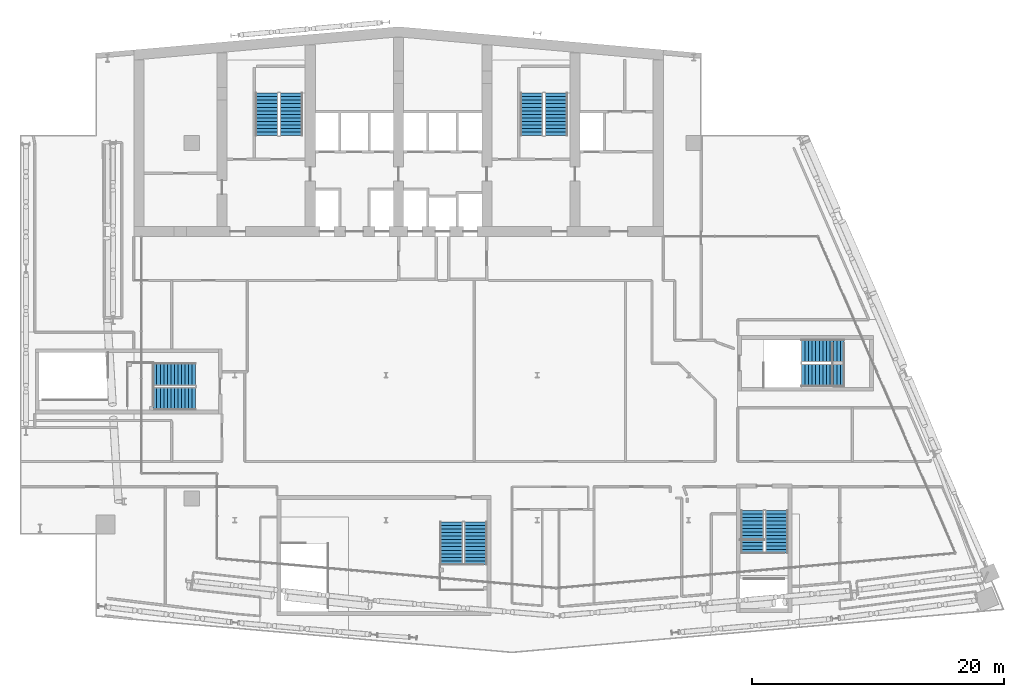
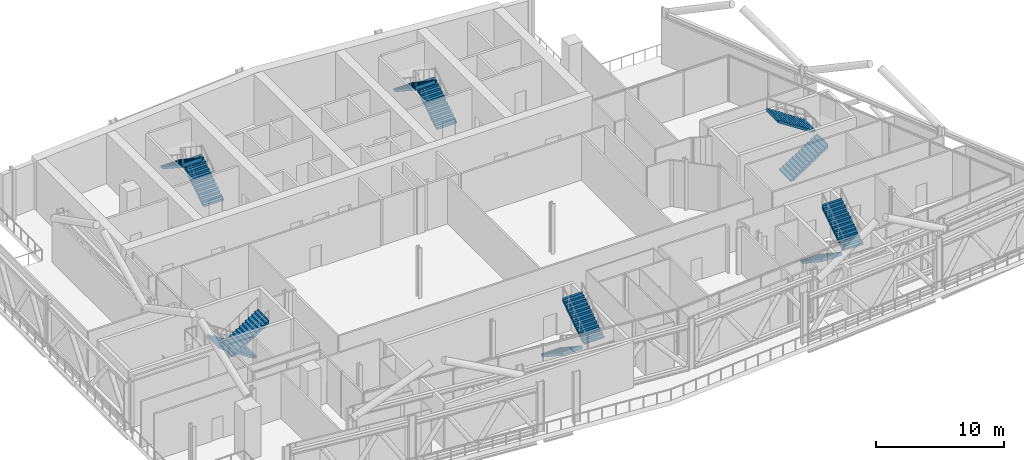
# One storey, part 19 of 35: 12 stair flights, 6 elements without a shape of their own.
"""IFC4 building model written with IfcOpenShell, lengths in metres."""

from ifc_helpers import new_model, si_unit, direction, frame, origin, place, context, subcontext, project, spatial, polyline, outline, extrude, material, type_object, element, aggregate, save


model = new_model("IFC4")

# Units and contexts
model_context = context("Model", 3, precision=1e-05, world=origin(), true_north=direction((0.0, 1.0)))
body_context = subcontext(model_context, "Body", "Model", "MODEL_VIEW")
ifc_project = project(units=[si_unit("LENGTHUNIT", "METRE"), si_unit("AREAUNIT", "SQUARE_METRE"), si_unit("VOLUMEUNIT", "CUBIC_METRE"), si_unit("PLANEANGLEUNIT", "RADIAN"), si_unit("MASSUNIT", "GRAM", prefix="KILO")], contexts=[model_context])

# Site, building, storey
site_placement = place(None, origin())
site = spatial("IfcSite", under=ifc_project, at=site_placement, CompositionType="ELEMENT")
building_placement = place(site_placement, origin())
building = spatial("IfcBuilding", under=site, at=building_placement, Name="Wharfspan Tower", CompositionType="ELEMENT")
storey_placement = place(building_placement, frame((0.0, 0.0, 202.300049)))
storey = spatial("IfcBuildingStorey", under=building, at=storey_placement, Name="L50", CompositionType="ELEMENT", Elevation=202.300049)

# Stair, stair flights
ifc_material = material(Name="Concrete C40/50", Category="concrete")
stair_type = type_object("IfcStairType", Name="Half-turn stair 26 risers 185 mm", PredefinedType="HALF_TURN_STAIR", material=ifc_material)
stair_1_placement = place(storey_placement, origin())
stair_1 = element("IfcStair", 1, at=stair_1_placement, inside=storey, type_object=stair_type, Name="L50 stair ST1", PredefinedType="HALF_TURN_STAIR")
stair_flight_type = type_object("IfcStairFlightType", Name="Stair flight 26 risers 185 mm", PredefinedType="STRAIGHT", material=ifc_material)
stair_flight_1_placement = place(storey_placement, frame((28.5, 42.0, 0.0), z_axis=(0.0, 0.0, 1.0), x_axis=(0.0, 1.0, 0.0)))
stair_flight_1 = element("IfcStairFlight", 2, at=stair_flight_1_placement, type_object=stair_flight_type, Name="ST1 flight 1", NumberOfRisers=13, NumberOfTreads=12, PredefinedType="STRAIGHT", RiserHeight=0.184615, TreadLength=0.28, context=body_context, shape_type="SweptSolid", body=[
    extrude(outline(polyline([(-0.011963, 0.0), (-0.011963, 0.18457), (0.0, 0.18457), (0.280029, 0.18457), (0.280029, 0.369141), (0.560059, 0.369141), (0.560059, 0.553955), (0.840088, 0.553955), (0.840088, 0.738525), (1.120117, 0.738525), (1.120117, 0.923096), (1.399902, 0.923096), (1.399902, 1.107666), (1.679932, 1.107666), (1.679932, 1.292236), (1.959961, 1.292236), (1.959961, 1.476807), (2.23999, 1.476807), (2.23999, 1.661621), (2.52002, 1.661621), (2.52002, 1.846191), (2.800049, 1.846191), (2.800049, 2.030762), (3.080078, 2.030762), (3.080078, 2.215332), (3.360107, 2.215332), (3.37207, 2.399902), (3.37207, 2.035889), (0.272217, 0.0), (-0.011963, 0.0)])), frame((0.0, 0.899902, 0.0), z_axis=(0.0, -1.0, 0.0), x_axis=(1.0, 0.0, 0.0)), (0.0, 0.0, 1.0), 1.800049),
])
stair_flight_2_placement = place(storey_placement, frame((26.550049, 45.360107, 2.399902), z_axis=(0.0, 0.0, 1.0), x_axis=(0.0, -1.0, 0.0)))
stair_flight_2 = element("IfcStairFlight", 3, at=stair_flight_2_placement, type_object=stair_flight_type, Name="ST1 flight 2", NumberOfRisers=13, NumberOfTreads=12, PredefinedType="STRAIGHT", RiserHeight=0.184615, TreadLength=0.28, context=body_context, shape_type="SweptSolid", body=[
    extrude(outline(polyline([(-0.011963, 0.0), (-0.011963, 0.18457), (0.0, 0.18457), (0.280029, 0.18457), (0.280029, 0.369141), (0.560059, 0.369141), (0.560059, 0.553955), (0.840088, 0.553955), (0.840088, 0.738525), (1.120117, 0.738525), (1.120117, 0.923096), (1.399902, 0.923096), (1.399902, 1.107666), (1.679932, 1.107666), (1.679932, 1.292236), (1.959961, 1.292236), (1.959961, 1.476807), (2.23999, 1.476807), (2.23999, 1.661621), (2.52002, 1.661621), (2.52002, 1.846191), (2.800049, 1.846191), (2.800049, 2.030762), (3.080078, 2.030762), (3.080078, 2.215332), (3.360107, 2.215332), (3.37207, 2.399902), (3.37207, 2.035889), (0.272217, 0.0), (-0.011963, 0.0)])), frame((0.0, 0.899902, 0.0), z_axis=(0.0, -1.0, 0.0), x_axis=(1.0, 0.0, 0.0)), (0.0, 0.0, 1.0), 1.800049),
])
aggregate(stair_1, [stair_flight_1, stair_flight_2])

stair_2_placement = place(storey_placement, origin())
stair_2 = element("IfcStair", 4, at=stair_2_placement, inside=storey, type_object=stair_type, Name="L50 stair ST2", PredefinedType="HALF_TURN_STAIR")
stair_flight_3_placement = place(storey_placement, frame((49.5, 42.0, 0.0), z_axis=(0.0, 0.0, 1.0), x_axis=(0.0, 1.0, 0.0)))
stair_flight_3 = element("IfcStairFlight", 5, at=stair_flight_3_placement, type_object=stair_flight_type, Name="ST2 flight 1", NumberOfRisers=13, NumberOfTreads=12, PredefinedType="STRAIGHT", RiserHeight=0.184615, TreadLength=0.28, context=body_context, shape_type="SweptSolid", body=[
    extrude(outline(polyline([(-0.011963, 0.0), (-0.011963, 0.18457), (0.0, 0.18457), (0.280029, 0.18457), (0.280029, 0.369141), (0.560059, 0.369141), (0.560059, 0.553955), (0.840088, 0.553955), (0.840088, 0.738525), (1.120117, 0.738525), (1.120117, 0.923096), (1.399902, 0.923096), (1.399902, 1.107666), (1.679932, 1.107666), (1.679932, 1.292236), (1.959961, 1.292236), (1.959961, 1.476807), (2.23999, 1.476807), (2.23999, 1.661621), (2.52002, 1.661621), (2.52002, 1.846191), (2.800049, 1.846191), (2.800049, 2.030762), (3.080078, 2.030762), (3.080078, 2.215332), (3.360107, 2.215332), (3.37207, 2.399902), (3.37207, 2.035889), (0.272217, 0.0), (-0.011963, 0.0)])), frame((0.0, 0.899902, 0.0), z_axis=(0.0, -1.0, 0.0), x_axis=(1.0, 0.0, 0.0)), (0.0, 0.0, 1.0), 1.800049),
])
stair_flight_4_placement = place(storey_placement, frame((47.550049, 45.360107, 2.399902), z_axis=(0.0, 0.0, 1.0), x_axis=(0.0, -1.0, 0.0)))
stair_flight_4 = element("IfcStairFlight", 6, at=stair_flight_4_placement, type_object=stair_flight_type, Name="ST2 flight 2", NumberOfRisers=13, NumberOfTreads=12, PredefinedType="STRAIGHT", RiserHeight=0.184615, TreadLength=0.28, context=body_context, shape_type="SweptSolid", body=[
    extrude(outline(polyline([(-0.011963, 0.0), (-0.011963, 0.18457), (0.0, 0.18457), (0.280029, 0.18457), (0.280029, 0.369141), (0.560059, 0.369141), (0.560059, 0.553955), (0.840088, 0.553955), (0.840088, 0.738525), (1.120117, 0.738525), (1.120117, 0.923096), (1.399902, 0.923096), (1.399902, 1.107666), (1.679932, 1.107666), (1.679932, 1.292236), (1.959961, 1.292236), (1.959961, 1.476807), (2.23999, 1.476807), (2.23999, 1.661621), (2.52002, 1.661621), (2.52002, 1.846191), (2.800049, 1.846191), (2.800049, 2.030762), (3.080078, 2.030762), (3.080078, 2.215332), (3.360107, 2.215332), (3.37207, 2.399902), (3.37207, 2.035889), (0.272217, 0.0), (-0.011963, 0.0)])), frame((0.0, 0.899902, 0.0), z_axis=(0.0, -1.0, 0.0), x_axis=(1.0, 0.0, 0.0)), (0.0, 0.0, 1.0), 1.800049),
])
aggregate(stair_2, [stair_flight_3, stair_flight_4])

stair_3_placement = place(storey_placement, origin())
stair_3 = element("IfcStair", 7, at=stair_3_placement, inside=storey, type_object=stair_type, Name="L50 stair ST3", PredefinedType="HALF_TURN_STAIR")
stair_flight_5_placement = place(storey_placement, frame((20.899902, 23.074951, 0.0), z_axis=(0.0, 0.0, 1.0), x_axis=(-1.0, 0.0, 0.0)))
stair_flight_5 = element("IfcStairFlight", 8, at=stair_flight_5_placement, type_object=stair_flight_type, Name="ST3 flight 1", NumberOfRisers=13, NumberOfTreads=12, PredefinedType="STRAIGHT", RiserHeight=0.184615, TreadLength=0.28, context=body_context, shape_type="SweptSolid", body=[
    extrude(outline(polyline([(-0.011963, 0.0), (-0.011963, 0.18457), (0.0, 0.18457), (0.280029, 0.18457), (0.280029, 0.369141), (0.560059, 0.369141), (0.560059, 0.553955), (0.840088, 0.553955), (0.840088, 0.738525), (1.120117, 0.738525), (1.120117, 0.923096), (1.399902, 0.923096), (1.399902, 1.107666), (1.679932, 1.107666), (1.679932, 1.292236), (1.959961, 1.292236), (1.959961, 1.476807), (2.23999, 1.476807), (2.23999, 1.661621), (2.52002, 1.661621), (2.52002, 1.846191), (2.800049, 1.846191), (2.800049, 2.030762), (3.080078, 2.030762), (3.080078, 2.215332), (3.360107, 2.215332), (3.37207, 2.399902), (3.37207, 2.035889), (0.272217, 0.0), (-0.011963, 0.0)])), frame((0.0, 0.899902, 0.0), z_axis=(0.0, -1.0, 0.0), x_axis=(1.0, 0.0, 0.0)), (0.0, 0.0, 1.0), 1.800049),
])
stair_flight_6_placement = place(storey_placement, frame((17.540039, 21.125, 2.399902), z_axis=(0.0, 0.0, 1.0), x_axis=(1.0, 0.0, 0.0)))
stair_flight_6 = element("IfcStairFlight", 9, at=stair_flight_6_placement, type_object=stair_flight_type, Name="ST3 flight 2", NumberOfRisers=13, NumberOfTreads=12, PredefinedType="STRAIGHT", RiserHeight=0.184615, TreadLength=0.28, context=body_context, shape_type="SweptSolid", body=[
    extrude(outline(polyline([(-0.011963, 0.0), (-0.011963, 0.18457), (0.0, 0.18457), (0.280029, 0.18457), (0.280029, 0.369141), (0.560059, 0.369141), (0.560059, 0.553955), (0.840088, 0.553955), (0.840088, 0.738525), (1.120117, 0.738525), (1.120117, 0.923096), (1.399902, 0.923096), (1.399902, 1.107666), (1.679932, 1.107666), (1.679932, 1.292236), (1.959961, 1.292236), (1.959961, 1.476807), (2.23999, 1.476807), (2.23999, 1.661621), (2.52002, 1.661621), (2.52002, 1.846191), (2.800049, 1.846191), (2.800049, 2.030762), (3.080078, 2.030762), (3.080078, 2.215332), (3.360107, 2.215332), (3.37207, 2.399902), (3.37207, 2.035889), (0.272217, 0.0), (-0.011963, 0.0)])), frame((0.0, 0.899902, 0.0), z_axis=(0.0, -1.0, 0.0), x_axis=(1.0, 0.0, 0.0)), (0.0, 0.0, 1.0), 1.800049),
])
aggregate(stair_3, [stair_flight_5, stair_flight_6])

stair_4_placement = place(storey_placement, origin())
stair_4 = element("IfcStair", 10, at=stair_4_placement, inside=storey, type_object=stair_type, Name="L50 stair ST4", PredefinedType="HALF_TURN_STAIR")
stair_flight_7_placement = place(storey_placement, frame((41.177002, 11.343262, 0.0), z_axis=(0.0, 0.0, 1.0), x_axis=(0.0, -1.0, 0.0)))
stair_flight_7 = element("IfcStairFlight", 11, at=stair_flight_7_placement, type_object=stair_flight_type, Name="ST4 flight 1", NumberOfRisers=13, NumberOfTreads=12, PredefinedType="STRAIGHT", RiserHeight=0.184615, TreadLength=0.28, context=body_context, shape_type="SweptSolid", body=[
    extrude(outline(polyline([(-0.011963, 0.0), (-0.011963, 0.18457), (0.0, 0.18457), (0.280029, 0.18457), (0.280029, 0.369141), (0.560059, 0.369141), (0.560059, 0.553955), (0.840088, 0.553955), (0.840088, 0.738525), (1.120117, 0.738525), (1.120117, 0.923096), (1.399902, 0.923096), (1.399902, 1.107666), (1.679932, 1.107666), (1.679932, 1.292236), (1.959961, 1.292236), (1.959961, 1.476807), (2.23999, 1.476807), (2.23999, 1.661621), (2.52002, 1.661621), (2.52002, 1.846191), (2.800049, 1.846191), (2.800049, 2.030762), (3.080078, 2.030762), (3.080078, 2.215332), (3.360107, 2.215332), (3.37207, 2.399902), (3.37207, 2.035889), (0.272217, 0.0), (-0.011963, 0.0)])), frame((0.0, 0.899902, 0.0), z_axis=(0.0, -1.0, 0.0), x_axis=(1.0, 0.0, 0.0)), (0.0, 0.0, 1.0), 1.800049),
])
stair_flight_8_placement = place(storey_placement, frame((43.127197, 7.983154, 2.399902), z_axis=(0.0, 0.0, 1.0), x_axis=(0.0, 1.0, 0.0)))
stair_flight_8 = element("IfcStairFlight", 12, at=stair_flight_8_placement, type_object=stair_flight_type, Name="ST4 flight 2", NumberOfRisers=13, NumberOfTreads=12, PredefinedType="STRAIGHT", RiserHeight=0.184615, TreadLength=0.28, context=body_context, shape_type="SweptSolid", body=[
    extrude(outline(polyline([(-0.011963, 0.0), (-0.011963, 0.18457), (0.0, 0.18457), (0.280029, 0.18457), (0.280029, 0.369141), (0.560059, 0.369141), (0.560059, 0.553955), (0.840088, 0.553955), (0.840088, 0.738525), (1.120117, 0.738525), (1.120117, 0.923096), (1.399902, 0.923096), (1.399902, 1.107666), (1.679932, 1.107666), (1.679932, 1.292236), (1.959961, 1.292236), (1.959961, 1.476807), (2.23999, 1.476807), (2.23999, 1.661621), (2.52002, 1.661621), (2.52002, 1.846191), (2.800049, 1.846191), (2.800049, 2.030762), (3.080078, 2.030762), (3.080078, 2.215332), (3.360107, 2.215332), (3.37207, 2.399902), (3.37207, 2.035889), (0.272217, 0.0), (-0.011963, 0.0)])), frame((0.0, 0.899902, 0.0), z_axis=(0.0, -1.0, 0.0), x_axis=(1.0, 0.0, 0.0)), (0.0, 0.0, 1.0), 1.800049),
])
aggregate(stair_4, [stair_flight_7, stair_flight_8])

stair_5_placement = place(storey_placement, origin())
stair_5 = element("IfcStair", 13, at=stair_5_placement, inside=storey, type_object=stair_type, Name="L50 stair ST5", PredefinedType="HALF_TURN_STAIR")
stair_flight_9_placement = place(storey_placement, frame((65.043701, 12.246094, 0.0), z_axis=(0.0, 0.0, 1.0), x_axis=(0.0, -1.0, 0.0)))
stair_flight_9 = element("IfcStairFlight", 14, at=stair_flight_9_placement, type_object=stair_flight_type, Name="ST5 flight 1", NumberOfRisers=13, NumberOfTreads=12, PredefinedType="STRAIGHT", RiserHeight=0.184615, TreadLength=0.28, context=body_context, shape_type="SweptSolid", body=[
    extrude(outline(polyline([(-0.011963, 0.0), (-0.011963, 0.18457), (0.0, 0.18457), (0.280029, 0.18457), (0.280029, 0.369141), (0.560059, 0.369141), (0.560059, 0.553955), (0.840088, 0.553955), (0.840088, 0.738525), (1.120117, 0.738525), (1.120117, 0.923096), (1.399902, 0.923096), (1.399902, 1.107666), (1.679932, 1.107666), (1.679932, 1.292236), (1.959961, 1.292236), (1.959961, 1.476807), (2.23999, 1.476807), (2.23999, 1.661621), (2.52002, 1.661621), (2.52002, 1.846191), (2.800049, 1.846191), (2.800049, 2.030762), (3.080078, 2.030762), (3.080078, 2.215332), (3.360107, 2.215332), (3.37207, 2.399902), (3.37207, 2.035889), (0.272217, 0.0), (-0.011963, 0.0)])), frame((0.0, 0.899902, 0.0), z_axis=(0.0, -1.0, 0.0), x_axis=(1.0, 0.0, 0.0)), (0.0, 0.0, 1.0), 1.800049),
])
stair_flight_10_placement = place(storey_placement, frame((66.993896, 8.88623, 2.399902), z_axis=(0.0, 0.0, 1.0), x_axis=(0.0, 1.0, 0.0)))
stair_flight_10 = element("IfcStairFlight", 15, at=stair_flight_10_placement, type_object=stair_flight_type, Name="ST5 flight 2", NumberOfRisers=13, NumberOfTreads=12, PredefinedType="STRAIGHT", RiserHeight=0.184615, TreadLength=0.28, context=body_context, shape_type="SweptSolid", body=[
    extrude(outline(polyline([(-0.011963, 0.0), (-0.011963, 0.18457), (0.0, 0.18457), (0.280029, 0.18457), (0.280029, 0.369141), (0.560059, 0.369141), (0.560059, 0.553955), (0.840088, 0.553955), (0.840088, 0.738525), (1.120117, 0.738525), (1.120117, 0.923096), (1.399902, 0.923096), (1.399902, 1.107666), (1.679932, 1.107666), (1.679932, 1.292236), (1.959961, 1.292236), (1.959961, 1.476807), (2.23999, 1.476807), (2.23999, 1.661621), (2.52002, 1.661621), (2.52002, 1.846191), (2.800049, 1.846191), (2.800049, 2.030762), (3.080078, 2.030762), (3.080078, 2.215332), (3.360107, 2.215332), (3.37207, 2.399902), (3.37207, 2.035889), (0.272217, 0.0), (-0.011963, 0.0)])), frame((0.0, 0.899902, 0.0), z_axis=(0.0, -1.0, 0.0), x_axis=(1.0, 0.0, 0.0)), (0.0, 0.0, 1.0), 1.800049),
])
aggregate(stair_5, [stair_flight_9, stair_flight_10])

stair_6_placement = place(storey_placement, origin())
stair_6 = element("IfcStair", 16, at=stair_6_placement, inside=storey, type_object=stair_type, Name="L50 stair ST6", PredefinedType="HALF_TURN_STAIR")
stair_flight_11_placement = place(storey_placement, frame((68.969482, 22.975098, 0.0), z_axis=(0.0, 0.0, 1.0), x_axis=(1.0, 0.0, 0.0)))
stair_flight_11 = element("IfcStairFlight", 17, at=stair_flight_11_placement, type_object=stair_flight_type, Name="ST6 flight 1", NumberOfRisers=13, NumberOfTreads=12, PredefinedType="STRAIGHT", RiserHeight=0.184615, TreadLength=0.28, context=body_context, shape_type="SweptSolid", body=[
    extrude(outline(polyline([(-0.011963, 0.0), (-0.011963, 0.18457), (0.0, 0.18457), (0.280029, 0.18457), (0.280029, 0.369141), (0.560059, 0.369141), (0.560059, 0.553955), (0.840088, 0.553955), (0.840088, 0.738525), (1.120117, 0.738525), (1.120117, 0.923096), (1.399902, 0.923096), (1.399902, 1.107666), (1.679932, 1.107666), (1.679932, 1.292236), (1.959961, 1.292236), (1.959961, 1.476807), (2.23999, 1.476807), (2.23999, 1.661621), (2.52002, 1.661621), (2.52002, 1.846191), (2.800049, 1.846191), (2.800049, 2.030762), (3.080078, 2.030762), (3.080078, 2.215332), (3.360107, 2.215332), (3.37207, 2.399902), (3.37207, 2.035889), (0.272217, 0.0), (-0.011963, 0.0)])), frame((0.0, 0.899902, 0.0), z_axis=(0.0, -1.0, 0.0), x_axis=(1.0, 0.0, 0.0)), (0.0, 0.0, 1.0), 1.800049),
])
stair_flight_12_placement = place(storey_placement, frame((72.32959, 24.925049, 2.399902), z_axis=(0.0, 0.0, 1.0), x_axis=(-1.0, 0.0, 0.0)))
stair_flight_12 = element("IfcStairFlight", 18, at=stair_flight_12_placement, type_object=stair_flight_type, Name="ST6 flight 2", NumberOfRisers=13, NumberOfTreads=12, PredefinedType="STRAIGHT", RiserHeight=0.184615, TreadLength=0.28, context=body_context, shape_type="SweptSolid", body=[
    extrude(outline(polyline([(-0.011963, 0.0), (-0.011963, 0.18457), (0.0, 0.18457), (0.280029, 0.18457), (0.280029, 0.369141), (0.560059, 0.369141), (0.560059, 0.553955), (0.840088, 0.553955), (0.840088, 0.738525), (1.120117, 0.738525), (1.120117, 0.923096), (1.399902, 0.923096), (1.399902, 1.107666), (1.679932, 1.107666), (1.679932, 1.292236), (1.959961, 1.292236), (1.959961, 1.476807), (2.23999, 1.476807), (2.23999, 1.661621), (2.52002, 1.661621), (2.52002, 1.846191), (2.800049, 1.846191), (2.800049, 2.030762), (3.080078, 2.030762), (3.080078, 2.215332), (3.360107, 2.215332), (3.37207, 2.399902), (3.37207, 2.035889), (0.272217, 0.0), (-0.011963, 0.0)])), frame((0.0, 0.899902, 0.0), z_axis=(0.0, -1.0, 0.0), x_axis=(1.0, 0.0, 0.0)), (0.0, 0.0, 1.0), 1.800049),
])
aggregate(stair_6, [stair_flight_11, stair_flight_12])

save(model, "model.ifc")
